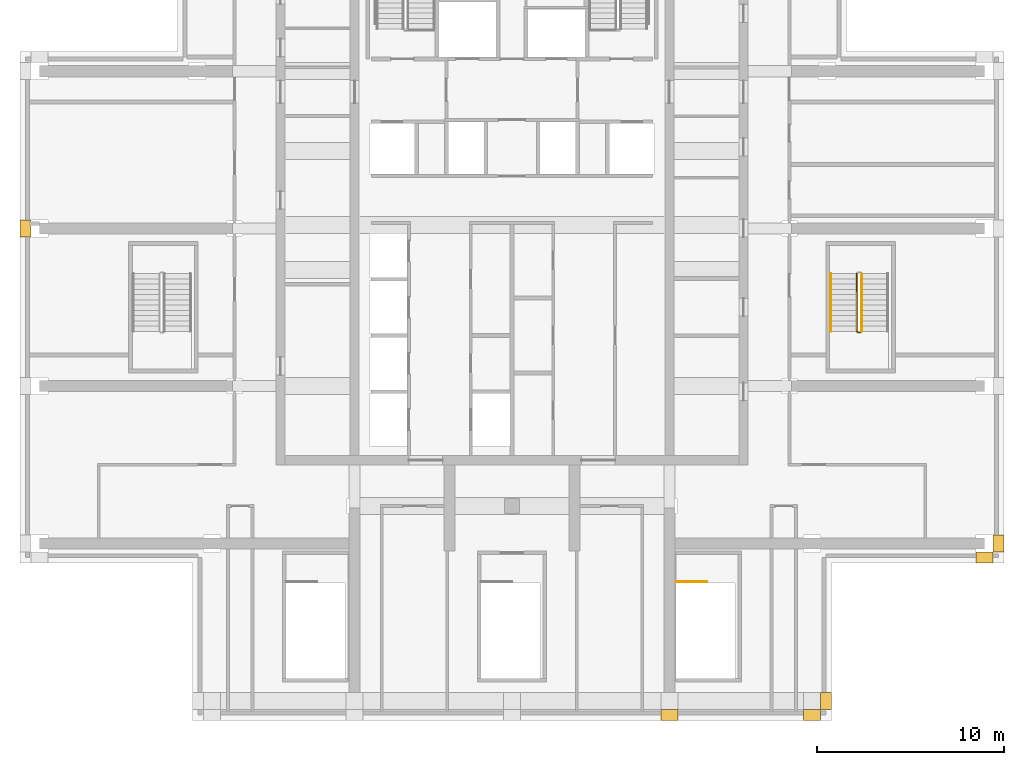
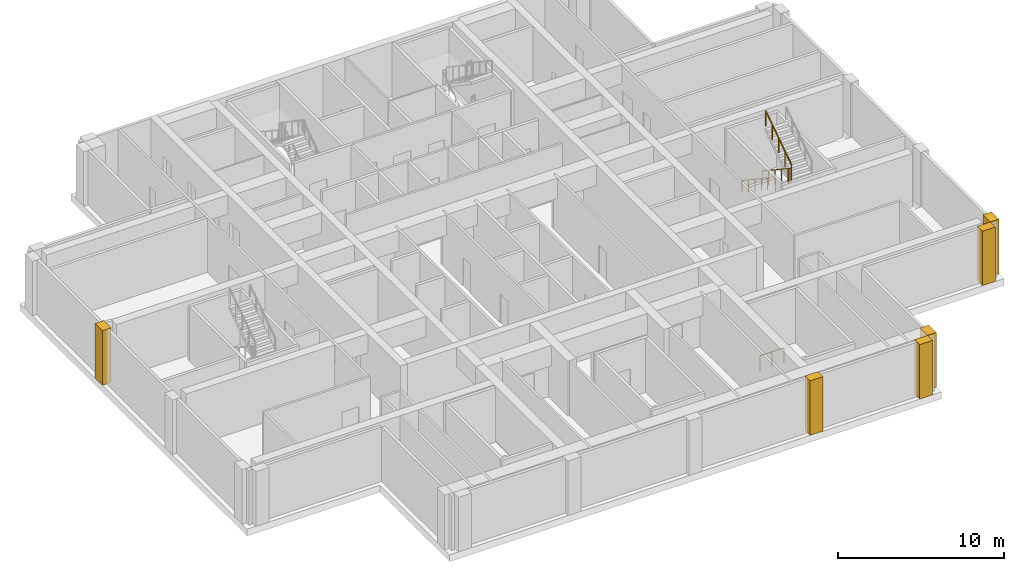
# One storey, part 8 of 11: 6 coverings, 4 railings.
"""IFC4 building model written with IfcOpenShell, lengths in metres."""

from ifc_helpers import new_model, si_unit, direction, frame, origin, origin_2d, place, context, subcontext, project, spatial, polyline, rectangle, outline, extrude, material, type_object, element, save


model = new_model("IFC4")

# Units and contexts
model_context = context("Model", 3, precision=1e-05, world=origin(), true_north=direction((0.0, 1.0)))
body_context = subcontext(model_context, "Body", "Model", "MODEL_VIEW")
ifc_project = project(units=[si_unit("LENGTHUNIT", "METRE"), si_unit("AREAUNIT", "SQUARE_METRE"), si_unit("VOLUMEUNIT", "CUBIC_METRE"), si_unit("PLANEANGLEUNIT", "RADIAN"), si_unit("MASSUNIT", "GRAM", prefix="KILO")], contexts=[model_context])

# Site, building, storey
site_placement = place(None, origin())
site = spatial("IfcSite", under=ifc_project, at=site_placement, CompositionType="ELEMENT")
building_placement = place(site_placement, origin())
building = spatial("IfcBuilding", under=site, at=building_placement, Name="Vermilion Ogive Tower", CompositionType="ELEMENT")
storey_placement = place(building_placement, frame((0.0, 0.0, 264.85009765625)))
storey = spatial("IfcBuildingStorey", under=building, at=storey_placement, Name="L70", CompositionType="ELEMENT", Elevation=264.85009765625)

# Railings
ifc_material_1 = material(Name="Steel S355 painted", Category="steel")
railing_type_1 = type_object("IfcRailingType", Name="Stair guard 1100", PredefinedType="GUARDRAIL", material=ifc_material_1)
railing_1_placement = place(storey_placement, frame((8.75, -14.64990234375, 0.0)))
element("IfcRailing", 1, at=railing_1_placement, inside=storey, type_object=railing_type_1, Name="L70 ST5 top well guard 1", PredefinedType="GUARDRAIL", context=body_context, shape_type="SweptSolid", body=[
    extrude(rectangle(XDim=0.048095703125, YDim=0.048095703125, at=origin_2d()), frame((0.0, 0.0, 1.076171875), z_axis=(1.0, 0.0, 0.0), x_axis=(0.0, 1.0, 0.0)), (0.0, 0.0, 1.0), 1.64990234375),
    extrude(rectangle(XDim=0.0419921875, YDim=0.0419921875, at=origin_2d()), origin(), (0.0, 0.0, 1.0), 1.052001953125),
    extrude(rectangle(XDim=0.0419921875, YDim=0.0419921875, at=origin_2d()), frame((0.824951171875, 0.0, 0.0)), (0.0, 0.0, 1.0), 1.052001953125),
    extrude(rectangle(XDim=0.0419921875, YDim=0.0419921875, at=origin_2d()), frame((1.64990234375, 0.0, 0.0)), (0.0, 0.0, 1.0), 1.052001953125),
])
railing_2_placement = place(storey_placement, frame((18.39990234375, 1.800048828125, 0.1875)))
element("IfcRailing", 2, at=railing_2_placement, inside=storey, type_object=railing_type_1, Name="L70 ST8 stair guard 1", PredefinedType="GUARDRAIL", context=body_context, shape_type="SweptSolid", body=[
    extrude(rectangle(XDim=0.048095703125, YDim=0.048095703125, at=origin_2d()), frame((0.0, 0.0, 1.076171875), z_axis=(0.0, -0.830913701846, 0.55640131208), x_axis=(1.0, 0.0, 0.0)), (0.0, 0.0, 1.0), 3.706787109375),
    extrude(rectangle(XDim=0.048095703125, YDim=0.048095703125, at=origin_2d()), frame((0.0, -3.080078125, 3.138671875), z_axis=(0.707106781187, -0.707106781187, 0.0), x_axis=(0.707106781187, 0.707106781187, 0.0)), (0.0, 0.0, 1.0), 0.07080078125),
    extrude(rectangle(XDim=0.048095703125, YDim=0.048095703125, at=origin_2d()), frame((0.050048828125, -3.130126953125, 3.138671875), z_axis=(1.0, 0.0, 0.0), x_axis=(0.0, 1.0, 0.0)), (0.0, 0.0, 1.0), 0.150146484375),
    extrude(rectangle(XDim=0.0419921875, YDim=0.0419921875, at=origin_2d()), origin(), (0.0, 0.0, 1.0), 1.052001953125),
    extrude(rectangle(XDim=0.0419921875, YDim=0.0419921875, at=origin_2d()), frame((0.0, -0.77001953125, 0.515625)), (0.0, 0.0, 1.0), 1.052001953125),
    extrude(rectangle(XDim=0.0419921875, YDim=0.0419921875, at=origin_2d()), frame((0.0, -1.5400390625, 1.03125)), (0.0, 0.0, 1.0), 1.052001953125),
    extrude(rectangle(XDim=0.0419921875, YDim=0.0419921875, at=origin_2d()), frame((0.0, -2.31005859375, 1.546875)), (0.0, 0.0, 1.0), 1.052001953125),
    extrude(rectangle(XDim=0.0419921875, YDim=0.0419921875, at=origin_2d()), frame((0.0, -3.080078125, 2.0625)), (0.0, 0.0, 1.0), 1.052001953125),
    extrude(rectangle(XDim=0.0419921875, YDim=0.0419921875, at=origin_2d()), frame((0.050048828125, -3.130126953125, 2.0625)), (0.0, 0.0, 1.0), 1.052001953125),
    extrude(rectangle(XDim=0.0419921875, YDim=0.0419921875, at=origin_2d()), frame((0.2001953125, -3.130126953125, 2.0625)), (0.0, 0.0, 1.0), 1.052001953125),
])
railing_3_placement = place(storey_placement, frame((18.64990234375, -1.280029296875, 2.4375)))
element("IfcRailing", 3, at=railing_3_placement, inside=storey, type_object=railing_type_1, Name="L70 ST8 stair guard 3", PredefinedType="GUARDRAIL", context=body_context, shape_type="SweptSolid", body=[
    extrude(rectangle(XDim=0.048095703125, YDim=0.048095703125, at=origin_2d()), frame((0.0, 0.0, 1.076171875), z_axis=(0.0, 0.830913701846, 0.55640131208), x_axis=(-1.0, 0.0, 0.0)), (0.0, 0.0, 1.0), 3.706787109375),
    extrude(rectangle(XDim=0.0419921875, YDim=0.0419921875, at=origin_2d()), origin(), (0.0, 0.0, 1.0), 1.052001953125),
    extrude(rectangle(XDim=0.0419921875, YDim=0.0419921875, at=origin_2d()), frame((0.0, 0.77001953125, 0.515625)), (0.0, 0.0, 1.0), 1.052001953125),
    extrude(rectangle(XDim=0.0419921875, YDim=0.0419921875, at=origin_2d()), frame((0.0, 1.5400390625, 1.03125)), (0.0, 0.0, 1.0), 1.052001953125),
    extrude(rectangle(XDim=0.0419921875, YDim=0.0419921875, at=origin_2d()), frame((0.0, 2.31005859375, 1.546875)), (0.0, 0.0, 1.0), 1.052001953125),
    extrude(rectangle(XDim=0.0419921875, YDim=0.0419921875, at=origin_2d()), frame((0.0, 3.080078125, 2.0625)), (0.0, 0.0, 1.0), 1.052001953125),
])
ifc_material_2 = material(Name="Stainless steel", Category="steel")
railing_type_2 = type_object("IfcRailingType", Name="Stair handrail 900", PredefinedType="HANDRAIL", material=ifc_material_2)
railing_4_placement = place(storey_placement, frame((17.0, 1.800048828125, 0.1875)))
element("IfcRailing", 4, at=railing_4_placement, inside=storey, type_object=railing_type_2, Name="L70 ST8 stair handrail 1", PredefinedType="HANDRAIL", context=body_context, shape_type="SweptSolid", body=[
    extrude(rectangle(XDim=0.048095703125, YDim=0.048095703125, at=origin_2d()), frame((0.0, 0.0, 0.8759765625), z_axis=(0.0, -0.830913701846, 0.55640131208), x_axis=(1.0, 0.0, 0.0)), (0.0, 0.0, 1.0), 3.706787109375),
    extrude(rectangle(XDim=0.0419921875, YDim=0.0419921875, at=origin_2d()), origin(), (0.0, 0.0, 1.0), 0.851806640625),
    extrude(rectangle(XDim=0.0419921875, YDim=0.0419921875, at=origin_2d()), frame((0.0, -0.77001953125, 0.515625)), (0.0, 0.0, 1.0), 0.851806640625),
    extrude(rectangle(XDim=0.0419921875, YDim=0.0419921875, at=origin_2d()), frame((0.0, -1.5400390625, 1.03125)), (0.0, 0.0, 1.0), 0.851806640625),
    extrude(rectangle(XDim=0.0419921875, YDim=0.0419921875, at=origin_2d()), frame((0.0, -2.31005859375, 1.546875)), (0.0, 0.0, 1.0), 0.851806640625),
    extrude(rectangle(XDim=0.0419921875, YDim=0.0419921875, at=origin_2d()), frame((0.0, -3.080078125, 2.0625)), (0.0, 0.0, 1.0), 0.851806640625),
])

# Coverings
ifc_material_3 = material(Name="Stone cladding", Category="masonry")
covering_type = type_object("IfcCoveringType", Name="Stone pier", PredefinedType="CLADDING", material=ifc_material_3)
covering_1_placement = place(storey_placement, origin())
element("IfcCovering", 5, at=covering_1_placement, inside=storey, type_object=covering_type, Name="Stone pier P+0084-210", PredefinedType="CLADDING", context=body_context, shape_type="SweptSolid", body=[
    extrude(outline(polyline([(8.85009765625, -21.449951171875), (8.85009765625, -22.050048828125), (7.949951171875, -22.050048828125), (7.949951171875, -21.449951171875), (7.949951171875, -21.449951171875), (8.85009765625, -21.449951171875)])), origin(), (0.0, 0.0, 1.0), 4.0),
])
covering_2_placement = place(storey_placement, origin())
element("IfcCovering", 6, at=covering_2_placement, inside=storey, type_object=covering_type, Name="Stone pier P+0160-210S", PredefinedType="CLADDING", context=body_context, shape_type="SweptSolid", body=[
    extrude(outline(polyline([(16.449951171875, -21.449951171875), (16.449951171875, -21.449951171875), (16.449951171875, -22.050048828125), (15.550048828125, -22.050048828125), (15.550048828125, -21.449951171875), (15.550048828125, -21.449951171875), (16.449951171875, -21.449951171875)])), origin(), (0.0, 0.0, 1.0), 4.0),
])
covering_3_placement = place(storey_placement, origin())
element("IfcCovering", 7, at=covering_3_placement, inside=storey, type_object=covering_type, Name="Stone pier P+0160-210X1", PredefinedType="CLADDING", context=body_context, shape_type="SweptSolid", body=[
    extrude(outline(polyline([(17.050048828125, -21.449951171875), (16.449951171875, -21.449951171875), (16.449951171875, -21.449951171875), (16.449951171875, -20.550048828125), (17.050048828125, -20.550048828125), (17.050048828125, -21.449951171875)])), origin(), (0.0, 0.0, 1.0), 4.0),
])
covering_4_placement = place(storey_placement, origin())
element("IfcCovering", 8, at=covering_4_placement, inside=storey, type_object=covering_type, Name="Stone pier P+0252-126X2", PredefinedType="CLADDING", context=body_context, shape_type="SweptSolid", body=[
    extrude(outline(polyline([(25.64990234375, -13.64990234375), (24.75, -13.64990234375), (24.75, -13.050048828125), (25.64990234375, -13.050048828125), (25.64990234375, -13.64990234375)])), origin(), (0.0, 0.0, 1.0), 4.0),
])
covering_5_placement = place(storey_placement, origin())
element("IfcCovering", 9, at=covering_5_placement, inside=storey, type_object=covering_type, Name="Stone pier P+0252-126E", PredefinedType="CLADDING", context=body_context, shape_type="SweptSolid", body=[
    extrude(outline(polyline([(26.25, -13.050048828125), (25.64990234375, -13.050048828125), (25.64990234375, -12.14990234375), (26.25, -12.14990234375), (26.25, -13.050048828125)])), origin(), (0.0, 0.0, 1.0), 4.0),
])
covering_6_placement = place(storey_placement, origin())
element("IfcCovering", 10, at=covering_6_placement, inside=storey, type_object=covering_type, Name="Stone pier P-0252+042", PredefinedType="CLADDING", context=body_context, shape_type="SweptSolid", body=[
    extrude(outline(polyline([(-26.25, 3.75), (-26.25, 4.64990234375), (-25.64990234375, 4.64990234375), (-25.64990234375, 3.75), (-26.25, 3.75)])), origin(), (0.0, 0.0, 1.0), 4.0),
])

save(model, "model.ifc")
